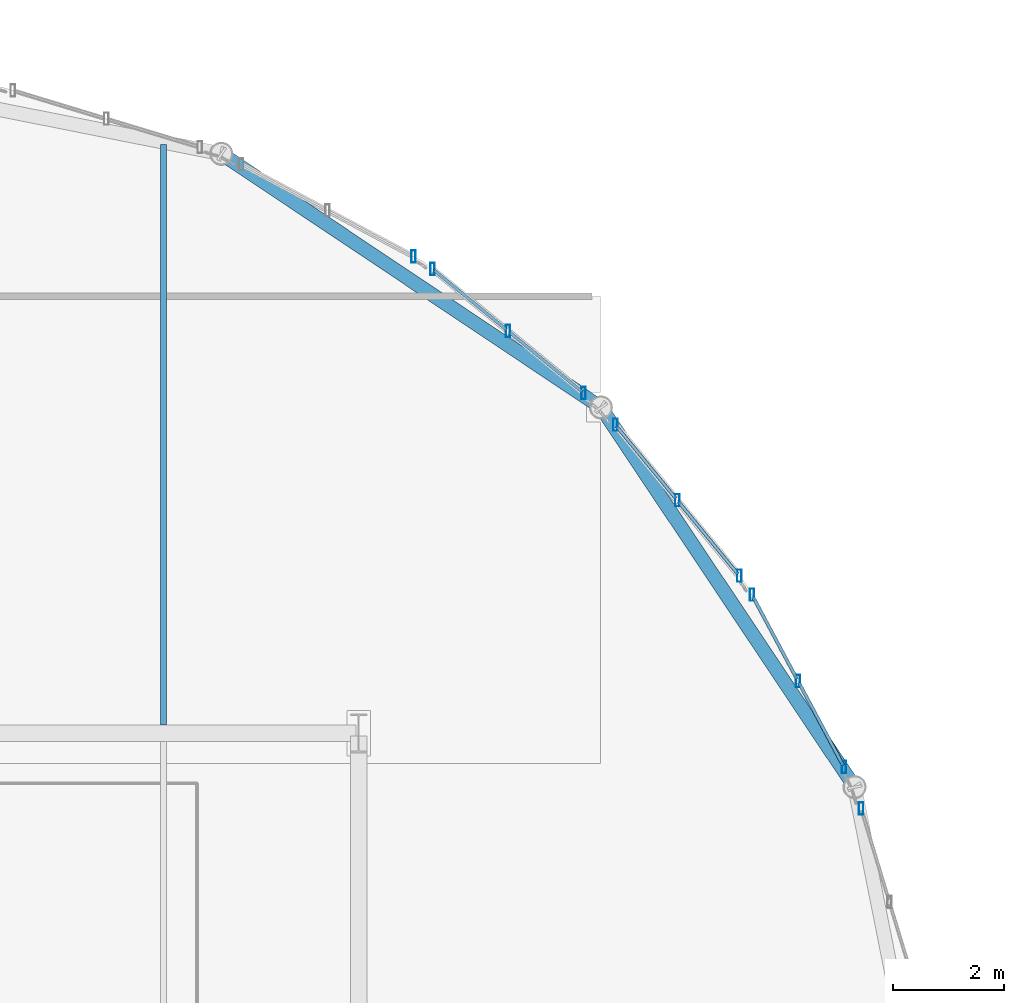
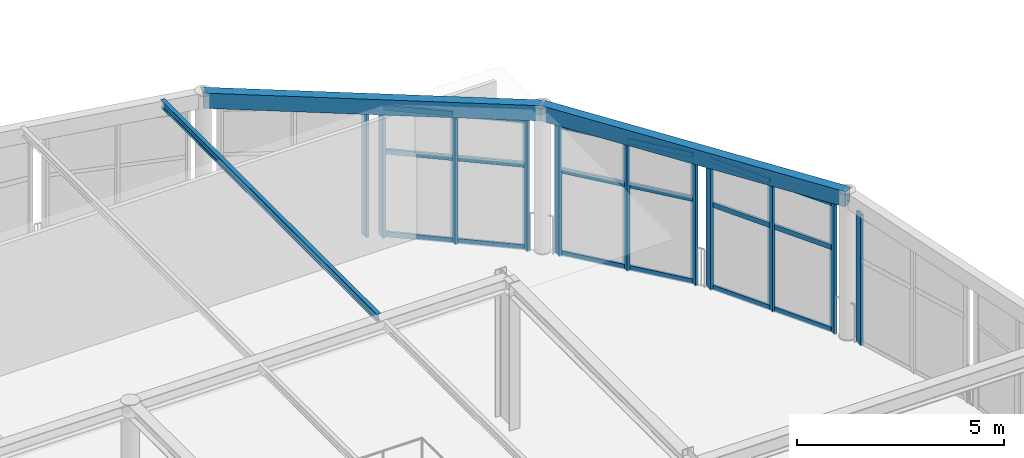
# One storey, part 38 of 105: 29 members, 3 beams, 5 elements without a shape of their own.
"""IFC4 building model written with IfcOpenShell, lengths in metres."""

from ifc_helpers import new_model, si_unit, direction, frame, origin, origin_2d, place, context, subcontext, project, spatial, hollow_rectangle, i_section, extrude, material, layer, layer_set, material_profile, profile_set, type_object, element, aggregate, save


model = new_model("IFC4")

# Units and contexts
model_context = context("Model", 3, precision=1e-05, world=origin(), true_north=direction((0.0, 1.0)))
body_context = subcontext(model_context, "Body", "Model", "MODEL_VIEW")
ifc_project = project(units=[si_unit("LENGTHUNIT", "METRE"), si_unit("AREAUNIT", "SQUARE_METRE"), si_unit("VOLUMEUNIT", "CUBIC_METRE"), si_unit("PLANEANGLEUNIT", "RADIAN"), si_unit("MASSUNIT", "GRAM", prefix="KILO")], contexts=[model_context])

# Site, building, storey
site_placement = place(None, origin())
site = spatial("IfcSite", under=ifc_project, at=site_placement, CompositionType="ELEMENT")
building_placement = place(site_placement, origin())
building = spatial("IfcBuilding", under=site, at=building_placement, Name="Marlcrest Central Station", CompositionType="ELEMENT")
storey_placement = place(building_placement, frame((0.0, 0.0, 15.0)))
storey = spatial("IfcBuildingStorey", under=building, at=storey_placement, Name="L03", CompositionType="ELEMENT", Elevation=15.0)

# Beam
ifc_material_1 = material(Name="Steel S355", Category="steel")
ifc_material_profile_1 = material_profile(ifc_material_1, i_section(OverallWidth=0.110107421875, OverallDepth=0.219970703125, WebThickness=0.005859375, FlangeThickness=0.00927734375, FilletRadius=0.011962890625, at=origin_2d()), Name="IPE 220")
ifc_profile_set_1 = profile_set([ifc_material_profile_1], Name="Steel S355")
beam_type_1 = type_object("IfcBeamType", Name="JS-02", PredefinedType="JOIST", material=ifc_profile_set_1)
beam_placement = place(storey_placement, frame((115.0, 119.64794921875, 4.215087890625), z_axis=(0.0, 1.0, 0.0), x_axis=(-1.0, 0.0, 0.0)))
element("IfcBeam", 1, at=beam_placement, inside=storey, type_object=beam_type_1, Name="bm-JS-02-L03-01535", PredefinedType="JOIST", context=body_context, shape_type="SweptSolid", body=[
    extrude(i_section(OverallWidth=0.110107421875, OverallDepth=0.219970703125, WebThickness=0.005859375, FlangeThickness=0.00927734375, FilletRadius=0.011962890625, at=origin_2d()), origin(), (0.0, 0.0, 1.0), 10.419189453125),
])

# Curtain wall, member
ifc_material_2 = material(Name="Anodised aluminium and hurricane laminated glass", Category="aluminium")
ifc_layer = layer(ifc_material_2, 0.219970703125, Name="CW-U1")
ifc_layer_set = layer_set([ifc_layer], Name="Anodised aluminium and hurricane laminated glass")
curtain_wall_type = type_object("IfcCurtainWallType", Name="CW-U1", PredefinedType="USERDEFINED", material=ifc_layer_set)
curtain_wall_1_placement = place(storey_placement, origin())
curtain_wall_1 = element("IfcCurtainWall", 2, at=curtain_wall_1_placement, inside=storey, type_object=curtain_wall_type, Name="cw-L03-0093", ObjectType="UNITISED_CURTAIN_WALL", PredefinedType="USERDEFINED")
ifc_material_3 = material(Name="Anodised aluminium 6063-T6", Category="aluminium")
ifc_material_profile_2 = material_profile(ifc_material_3, hollow_rectangle(XDim=0.080078125, YDim=0.219970703125, WallThickness=0.006103515625, at=origin_2d()), Name="AA-RHS 220x80x6")
ifc_profile_set_2 = profile_set([ifc_material_profile_2], Name="Anodised aluminium 6063-T6")
member_type_1 = type_object("IfcMemberType", Name="ML-01", PredefinedType="MULLION", material=ifc_profile_set_2)
member_1_placement = place(storey_placement, frame((119.485595703125, 128.05810546875, -0.030029296875), z_axis=(0.0, 0.0, 1.0), x_axis=(1.0, 0.0, 0.0)))
member_1 = element("IfcMember", 3, at=member_1_placement, type_object=member_type_1, Name="cw-L03-0093-ml-2", PredefinedType="MULLION", context=body_context, shape_type="SweptSolid", body=[
    extrude(hollow_rectangle(XDim=0.080078125, YDim=0.219970703125, WallThickness=0.006103515625, at=origin_2d()), origin(), (0.0, 0.0, 1.0), 3.860107421875),
])
aggregate(curtain_wall_1, [member_1])

# Curtain wall, members
curtain_wall_2_placement = place(storey_placement, origin())
curtain_wall_2 = element("IfcCurtainWall", 4, at=curtain_wall_2_placement, inside=storey, type_object=curtain_wall_type, Name="cw-L03-0094", ObjectType="UNITISED_CURTAIN_WALL", PredefinedType="USERDEFINED")
member_2_placement = place(storey_placement, frame((119.826171875, 127.830322265625, -0.030029296875), z_axis=(0.0, 0.0, 1.0), x_axis=(1.0, 0.0, 0.0)))
member_2 = element("IfcMember", 5, at=member_2_placement, type_object=member_type_1, Name="cw-L03-0094-ml-0", PredefinedType="MULLION", context=body_context, shape_type="SweptSolid", body=[
    extrude(hollow_rectangle(XDim=0.080078125, YDim=0.219970703125, WallThickness=0.006103515625, at=origin_2d()), origin(), (0.0, 0.0, 1.0), 3.860107421875),
])
member_3_placement = place(storey_placement, frame((121.181396484375, 126.718017578125, -0.030029296875), z_axis=(0.0, 0.0, 1.0), x_axis=(1.0, 0.0, 0.0)))
member_3 = element("IfcMember", 6, at=member_3_placement, type_object=member_type_1, Name="cw-L03-0094-ml-1", PredefinedType="MULLION", context=body_context, shape_type="SweptSolid", body=[
    extrude(hollow_rectangle(XDim=0.080078125, YDim=0.219970703125, WallThickness=0.006103515625, at=origin_2d()), origin(), (0.0, 0.0, 1.0), 3.860107421875),
])
member_4_placement = place(storey_placement, frame((122.53662109375, 125.60546875, -0.030029296875), z_axis=(0.0, 0.0, 1.0), x_axis=(1.0, 0.0, 0.0)))
member_4 = element("IfcMember", 7, at=member_4_placement, type_object=member_type_1, Name="cw-L03-0094-ml-2", PredefinedType="MULLION", context=body_context, shape_type="SweptSolid", body=[
    extrude(hollow_rectangle(XDim=0.080078125, YDim=0.219970703125, WallThickness=0.006103515625, at=origin_2d()), origin(), (0.0, 0.0, 1.0), 3.860107421875),
])

curtain_wall_3_placement = place(storey_placement, origin())
curtain_wall_3 = element("IfcCurtainWall", 8, at=curtain_wall_3_placement, inside=storey, type_object=curtain_wall_type, Name="cw-L03-0095", ObjectType="UNITISED_CURTAIN_WALL", PredefinedType="USERDEFINED")
member_5_placement = place(storey_placement, frame((123.10546875, 125.03662109375, -0.030029296875), z_axis=(0.0, 0.0, 1.0), x_axis=(1.0, 0.0, 0.0)))
member_5 = element("IfcMember", 9, at=member_5_placement, type_object=member_type_1, Name="cw-L03-0095-ml-0", PredefinedType="MULLION", context=body_context, shape_type="SweptSolid", body=[
    extrude(hollow_rectangle(XDim=0.080078125, YDim=0.219970703125, WallThickness=0.006103515625, at=origin_2d()), origin(), (0.0, 0.0, 1.0), 3.860107421875),
])
member_6_placement = place(storey_placement, frame((124.218017578125, 123.681396484375, -0.030029296875), z_axis=(0.0, 0.0, 1.0), x_axis=(1.0, 0.0, 0.0)))
member_6 = element("IfcMember", 10, at=member_6_placement, type_object=member_type_1, Name="cw-L03-0095-ml-1", PredefinedType="MULLION", context=body_context, shape_type="SweptSolid", body=[
    extrude(hollow_rectangle(XDim=0.080078125, YDim=0.219970703125, WallThickness=0.006103515625, at=origin_2d()), origin(), (0.0, 0.0, 1.0), 3.860107421875),
])
member_7_placement = place(storey_placement, frame((125.330322265625, 122.326171875, -0.030029296875), z_axis=(0.0, 0.0, 1.0), x_axis=(1.0, 0.0, 0.0)))
member_7 = element("IfcMember", 11, at=member_7_placement, type_object=member_type_1, Name="cw-L03-0095-ml-2", PredefinedType="MULLION", context=body_context, shape_type="SweptSolid", body=[
    extrude(hollow_rectangle(XDim=0.080078125, YDim=0.219970703125, WallThickness=0.006103515625, at=origin_2d()), origin(), (0.0, 0.0, 1.0), 3.860107421875),
])

curtain_wall_4_placement = place(storey_placement, origin())
curtain_wall_4 = element("IfcCurtainWall", 12, at=curtain_wall_4_placement, inside=storey, type_object=curtain_wall_type, Name="cw-L03-0096", ObjectType="UNITISED_CURTAIN_WALL", PredefinedType="USERDEFINED")
member_8_placement = place(storey_placement, frame((125.55810546875, 121.985595703125, -0.030029296875), z_axis=(0.0, 0.0, 1.0), x_axis=(1.0, 0.0, 0.0)))
member_8 = element("IfcMember", 13, at=member_8_placement, type_object=member_type_1, Name="cw-L03-0096-ml-0", PredefinedType="MULLION", context=body_context, shape_type="SweptSolid", body=[
    extrude(hollow_rectangle(XDim=0.080078125, YDim=0.219970703125, WallThickness=0.006103515625, at=origin_2d()), origin(), (0.0, 0.0, 1.0), 3.860107421875),
])
member_9_placement = place(storey_placement, frame((126.38427734375, 120.43896484375, -0.030029296875), z_axis=(0.0, 0.0, 1.0), x_axis=(1.0, 0.0, 0.0)))
member_9 = element("IfcMember", 14, at=member_9_placement, type_object=member_type_1, Name="cw-L03-0096-ml-1", PredefinedType="MULLION", context=body_context, shape_type="SweptSolid", body=[
    extrude(hollow_rectangle(XDim=0.080078125, YDim=0.219970703125, WallThickness=0.006103515625, at=origin_2d()), origin(), (0.0, 0.0, 1.0), 3.860107421875),
])
member_10_placement = place(storey_placement, frame((127.210693359375, 118.892333984375, -0.030029296875), z_axis=(0.0, 0.0, 1.0), x_axis=(1.0, 0.0, 0.0)))
member_10 = element("IfcMember", 15, at=member_10_placement, type_object=member_type_1, Name="cw-L03-0096-ml-2", PredefinedType="MULLION", context=body_context, shape_type="SweptSolid", body=[
    extrude(hollow_rectangle(XDim=0.080078125, YDim=0.219970703125, WallThickness=0.006103515625, at=origin_2d()), origin(), (0.0, 0.0, 1.0), 3.860107421875),
])

# Curtain wall, member
curtain_wall_5_placement = place(storey_placement, origin())
curtain_wall_5 = element("IfcCurtainWall", 16, at=curtain_wall_5_placement, inside=storey, type_object=curtain_wall_type, Name="cw-L03-0097", ObjectType="UNITISED_CURTAIN_WALL", PredefinedType="USERDEFINED")
member_11_placement = place(storey_placement, frame((127.518310546875, 118.1494140625, -0.030029296875), z_axis=(0.0, 0.0, 1.0), x_axis=(1.0, 0.0, 0.0)))
member_11 = element("IfcMember", 17, at=member_11_placement, type_object=member_type_1, Name="cw-L03-0097-ml-0", PredefinedType="MULLION", context=body_context, shape_type="SweptSolid", body=[
    extrude(hollow_rectangle(XDim=0.080078125, YDim=0.219970703125, WallThickness=0.006103515625, at=origin_2d()), origin(), (0.0, 0.0, 1.0), 3.860107421875),
])
aggregate(curtain_wall_5, [member_11])

# Beams
ifc_material_profile_3 = material_profile(ifc_material_1, hollow_rectangle(XDim=0.25, YDim=0.449951171875, WallThickness=0.01611328125, at=origin_2d()), Name="RHS 450x250x16")
ifc_profile_set_3 = profile_set([ifc_material_profile_3], Name="Steel S355")
beam_type_2 = type_object("IfcBeamType", Name="SP-02", PredefinedType="SPANDREL", material=ifc_profile_set_3)
for number, where, z_axis, x_axis, name in (
    (18, (116.035888671875, 129.90087890625, 4.10009765625), (0.831508991937, -0.55551129271, 0.0), (0.55551129271, 0.831508991937, 0.0), "bm-SP-02-L03-01523"),
    (19, (122.84912109375, 125.34912109375, 4.10009765625), (0.55551129271, -0.831508991937, 0.0), (0.831508991937, 0.55551129271, 0.0), "bm-SP-02-L03-01524"),
):
    element("IfcBeam", number, at=place(storey_placement, frame(where, z_axis=z_axis, x_axis=x_axis)), inside=storey, type_object=beam_type_2, Name=name, PredefinedType="SPANDREL", context=body_context, shape_type="SweptSolid", body=[
        extrude(hollow_rectangle(XDim=0.25, YDim=0.449951171875, WallThickness=0.01611328125, at=origin_2d()), origin(), (0.0, 0.0, 1.0), 8.19384765625),
    ])

# Member
ifc_material_profile_4 = material_profile(ifc_material_3, hollow_rectangle(XDim=0.06005859375, YDim=0.14990234375, WallThickness=0.00390625, at=origin_2d()), Name="AA-RHS 150x60x4")
ifc_profile_set_4 = profile_set([ifc_material_profile_4], Name="Anodised aluminium 6063-T6")
member_type_2 = type_object("IfcMemberType", Name="TR-01", PredefinedType="USERDEFINED", material=ifc_profile_set_4)
member_12_placement = place(storey_placement, frame((119.85546875, 127.806396484375, 0.0400390625), z_axis=(0.772912318539, -0.634512842936, 0.0), x_axis=(0.634512842936, 0.772912318539, 0.0)))
member_12 = element("IfcMember", 20, at=member_12_placement, type_object=member_type_2, Name="cw-L03-0094-tr-0-sill", ObjectType="TRANSOM", PredefinedType="USERDEFINED", context=body_context, shape_type="SweptSolid", body=[
    extrude(hollow_rectangle(XDim=0.06005859375, YDim=0.14990234375, WallThickness=0.00390625, at=origin_2d()), origin(), (0.0, 0.0, 1.0), 1.677490234375),
])

member_13_placement = place(storey_placement, frame((119.85546875, 127.806396484375, 2.469970703125), z_axis=(0.772912318539, -0.634512842936, 0.0), x_axis=(0.634512842936, 0.772912318539, 0.0)))
member_13 = element("IfcMember", 21, at=member_13_placement, type_object=member_type_2, Name="cw-L03-0094-tr-0-mid", ObjectType="TRANSOM", PredefinedType="USERDEFINED", context=body_context, shape_type="SweptSolid", body=[
    extrude(hollow_rectangle(XDim=0.06005859375, YDim=0.14990234375, WallThickness=0.00390625, at=origin_2d()), origin(), (0.0, 0.0, 1.0), 1.677490234375),
])

member_14_placement = place(storey_placement, frame((119.85546875, 127.806396484375, 3.760009765625), z_axis=(0.772912318539, -0.634512842936, 0.0), x_axis=(0.634512842936, 0.772912318539, 0.0)))
member_14 = element("IfcMember", 22, at=member_14_placement, type_object=member_type_2, Name="cw-L03-0094-tr-0-head", ObjectType="TRANSOM", PredefinedType="USERDEFINED", context=body_context, shape_type="SweptSolid", body=[
    extrude(hollow_rectangle(XDim=0.06005859375, YDim=0.14990234375, WallThickness=0.00390625, at=origin_2d()), origin(), (0.0, 0.0, 1.0), 1.677490234375),
])

member_15_placement = place(storey_placement, frame((121.210693359375, 126.69384765625, 0.0400390625), z_axis=(0.772912318539, -0.634512842936, 0.0), x_axis=(0.634512842936, 0.772912318539, 0.0)))
member_15 = element("IfcMember", 23, at=member_15_placement, type_object=member_type_2, Name="cw-L03-0094-tr-1-sill", ObjectType="TRANSOM", PredefinedType="USERDEFINED", context=body_context, shape_type="SweptSolid", body=[
    extrude(hollow_rectangle(XDim=0.06005859375, YDim=0.14990234375, WallThickness=0.00390625, at=origin_2d()), origin(), (0.0, 0.0, 1.0), 1.677490234375),
])

member_16_placement = place(storey_placement, frame((121.210693359375, 126.69384765625, 2.469970703125), z_axis=(0.772912318539, -0.634512842936, 0.0), x_axis=(0.634512842936, 0.772912318539, 0.0)))
member_16 = element("IfcMember", 24, at=member_16_placement, type_object=member_type_2, Name="cw-L03-0094-tr-1-mid", ObjectType="TRANSOM", PredefinedType="USERDEFINED", context=body_context, shape_type="SweptSolid", body=[
    extrude(hollow_rectangle(XDim=0.06005859375, YDim=0.14990234375, WallThickness=0.00390625, at=origin_2d()), origin(), (0.0, 0.0, 1.0), 1.677490234375),
])

member_17_placement = place(storey_placement, frame((121.210693359375, 126.69384765625, 3.760009765625), z_axis=(0.772912318539, -0.634512842936, 0.0), x_axis=(0.634512842936, 0.772912318539, 0.0)))
member_17 = element("IfcMember", 25, at=member_17_placement, type_object=member_type_2, Name="cw-L03-0094-tr-1-head", ObjectType="TRANSOM", PredefinedType="USERDEFINED", context=body_context, shape_type="SweptSolid", body=[
    extrude(hollow_rectangle(XDim=0.06005859375, YDim=0.14990234375, WallThickness=0.00390625, at=origin_2d()), origin(), (0.0, 0.0, 1.0), 1.677490234375),
])

aggregate(curtain_wall_2, [member_2, member_3, member_4, member_12, member_13, member_14, member_15, member_16, member_17])

member_18_placement = place(storey_placement, frame((123.12939453125, 125.00732421875, 0.0400390625), z_axis=(0.634512842936, -0.772912318539, 0.0), x_axis=(0.772912318539, 0.634512842936, 0.0)))
member_18 = element("IfcMember", 26, at=member_18_placement, type_object=member_type_2, Name="cw-L03-0095-tr-0-sill", ObjectType="TRANSOM", PredefinedType="USERDEFINED", context=body_context, shape_type="SweptSolid", body=[
    extrude(hollow_rectangle(XDim=0.06005859375, YDim=0.14990234375, WallThickness=0.00390625, at=origin_2d()), origin(), (0.0, 0.0, 1.0), 1.677490234375),
])

member_19_placement = place(storey_placement, frame((123.12939453125, 125.00732421875, 2.469970703125), z_axis=(0.634512842936, -0.772912318539, 0.0), x_axis=(0.772912318539, 0.634512842936, 0.0)))
member_19 = element("IfcMember", 27, at=member_19_placement, type_object=member_type_2, Name="cw-L03-0095-tr-0-mid", ObjectType="TRANSOM", PredefinedType="USERDEFINED", context=body_context, shape_type="SweptSolid", body=[
    extrude(hollow_rectangle(XDim=0.06005859375, YDim=0.14990234375, WallThickness=0.00390625, at=origin_2d()), origin(), (0.0, 0.0, 1.0), 1.677490234375),
])

member_20_placement = place(storey_placement, frame((123.12939453125, 125.00732421875, 3.760009765625), z_axis=(0.634512842936, -0.772912318539, 0.0), x_axis=(0.772912318539, 0.634512842936, 0.0)))
member_20 = element("IfcMember", 28, at=member_20_placement, type_object=member_type_2, Name="cw-L03-0095-tr-0-head", ObjectType="TRANSOM", PredefinedType="USERDEFINED", context=body_context, shape_type="SweptSolid", body=[
    extrude(hollow_rectangle(XDim=0.06005859375, YDim=0.14990234375, WallThickness=0.00390625, at=origin_2d()), origin(), (0.0, 0.0, 1.0), 1.677490234375),
])

member_21_placement = place(storey_placement, frame((124.241943359375, 123.652099609375, 0.0400390625), z_axis=(0.634512842936, -0.772912318539, 0.0), x_axis=(0.772912318539, 0.634512842936, 0.0)))
member_21 = element("IfcMember", 29, at=member_21_placement, type_object=member_type_2, Name="cw-L03-0095-tr-1-sill", ObjectType="TRANSOM", PredefinedType="USERDEFINED", context=body_context, shape_type="SweptSolid", body=[
    extrude(hollow_rectangle(XDim=0.06005859375, YDim=0.14990234375, WallThickness=0.00390625, at=origin_2d()), origin(), (0.0, 0.0, 1.0), 1.677490234375),
])

member_22_placement = place(storey_placement, frame((124.241943359375, 123.652099609375, 2.469970703125), z_axis=(0.634512842936, -0.772912318539, 0.0), x_axis=(0.772912318539, 0.634512842936, 0.0)))
member_22 = element("IfcMember", 30, at=member_22_placement, type_object=member_type_2, Name="cw-L03-0095-tr-1-mid", ObjectType="TRANSOM", PredefinedType="USERDEFINED", context=body_context, shape_type="SweptSolid", body=[
    extrude(hollow_rectangle(XDim=0.06005859375, YDim=0.14990234375, WallThickness=0.00390625, at=origin_2d()), origin(), (0.0, 0.0, 1.0), 1.677490234375),
])

member_23_placement = place(storey_placement, frame((124.241943359375, 123.652099609375, 3.760009765625), z_axis=(0.634512842936, -0.772912318539, 0.0), x_axis=(0.772912318539, 0.634512842936, 0.0)))
member_23 = element("IfcMember", 31, at=member_23_placement, type_object=member_type_2, Name="cw-L03-0095-tr-1-head", ObjectType="TRANSOM", PredefinedType="USERDEFINED", context=body_context, shape_type="SweptSolid", body=[
    extrude(hollow_rectangle(XDim=0.06005859375, YDim=0.14990234375, WallThickness=0.00390625, at=origin_2d()), origin(), (0.0, 0.0, 1.0), 1.677490234375),
])

aggregate(curtain_wall_3, [member_5, member_6, member_7, member_18, member_19, member_20, member_21, member_22, member_23])

member_24_placement = place(storey_placement, frame((125.575927734375, 121.951904296875, 0.0400390625), z_axis=(0.47126796736, -0.881990080976, 0.0), x_axis=(0.881990080976, 0.47126796736, 0.0)))
member_24 = element("IfcMember", 32, at=member_24_placement, type_object=member_type_2, Name="cw-L03-0096-tr-0-sill", ObjectType="TRANSOM", PredefinedType="USERDEFINED", context=body_context, shape_type="SweptSolid", body=[
    extrude(hollow_rectangle(XDim=0.06005859375, YDim=0.14990234375, WallThickness=0.00390625, at=origin_2d()), origin(), (0.0, 0.0, 1.0), 1.677490234375),
])

member_25_placement = place(storey_placement, frame((125.575927734375, 121.951904296875, 2.469970703125), z_axis=(0.47126796736, -0.881990080976, 0.0), x_axis=(0.881990080976, 0.47126796736, 0.0)))
member_25 = element("IfcMember", 33, at=member_25_placement, type_object=member_type_2, Name="cw-L03-0096-tr-0-mid", ObjectType="TRANSOM", PredefinedType="USERDEFINED", context=body_context, shape_type="SweptSolid", body=[
    extrude(hollow_rectangle(XDim=0.06005859375, YDim=0.14990234375, WallThickness=0.00390625, at=origin_2d()), origin(), (0.0, 0.0, 1.0), 1.677490234375),
])

member_26_placement = place(storey_placement, frame((125.575927734375, 121.951904296875, 3.760009765625), z_axis=(0.47126796736, -0.881990080976, 0.0), x_axis=(0.881990080976, 0.47126796736, 0.0)))
member_26 = element("IfcMember", 34, at=member_26_placement, type_object=member_type_2, Name="cw-L03-0096-tr-0-head", ObjectType="TRANSOM", PredefinedType="USERDEFINED", context=body_context, shape_type="SweptSolid", body=[
    extrude(hollow_rectangle(XDim=0.06005859375, YDim=0.14990234375, WallThickness=0.00390625, at=origin_2d()), origin(), (0.0, 0.0, 1.0), 1.677490234375),
])

member_27_placement = place(storey_placement, frame((126.402099609375, 120.405517578125, 0.0400390625), z_axis=(0.471207478568, -0.882022398889, 0.0), x_axis=(0.882022398889, 0.471207478568, 0.0)))
member_27 = element("IfcMember", 35, at=member_27_placement, type_object=member_type_2, Name="cw-L03-0096-tr-1-sill", ObjectType="TRANSOM", PredefinedType="USERDEFINED", context=body_context, shape_type="SweptSolid", body=[
    extrude(hollow_rectangle(XDim=0.06005859375, YDim=0.14990234375, WallThickness=0.00390625, at=origin_2d()), origin(), (0.0, 0.0, 1.0), 1.677734375),
])

member_28_placement = place(storey_placement, frame((126.402099609375, 120.405517578125, 2.469970703125), z_axis=(0.471207478568, -0.882022398889, 0.0), x_axis=(0.882022398889, 0.471207478568, 0.0)))
member_28 = element("IfcMember", 36, at=member_28_placement, type_object=member_type_2, Name="cw-L03-0096-tr-1-mid", ObjectType="TRANSOM", PredefinedType="USERDEFINED", context=body_context, shape_type="SweptSolid", body=[
    extrude(hollow_rectangle(XDim=0.06005859375, YDim=0.14990234375, WallThickness=0.00390625, at=origin_2d()), origin(), (0.0, 0.0, 1.0), 1.677734375),
])

member_29_placement = place(storey_placement, frame((126.402099609375, 120.405517578125, 3.760009765625), z_axis=(0.471207478568, -0.882022398889, 0.0), x_axis=(0.882022398889, 0.471207478568, 0.0)))
member_29 = element("IfcMember", 37, at=member_29_placement, type_object=member_type_2, Name="cw-L03-0096-tr-1-head", ObjectType="TRANSOM", PredefinedType="USERDEFINED", context=body_context, shape_type="SweptSolid", body=[
    extrude(hollow_rectangle(XDim=0.06005859375, YDim=0.14990234375, WallThickness=0.00390625, at=origin_2d()), origin(), (0.0, 0.0, 1.0), 1.677734375),
])

aggregate(curtain_wall_4, [member_8, member_9, member_10, member_24, member_25, member_26, member_27, member_28, member_29])

save(model, "model.ifc")
